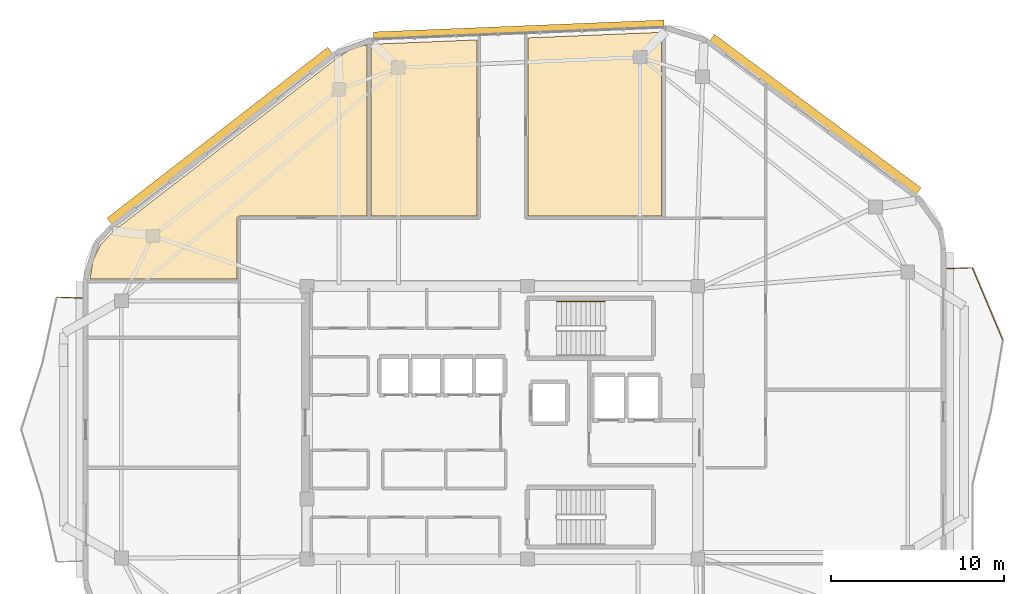
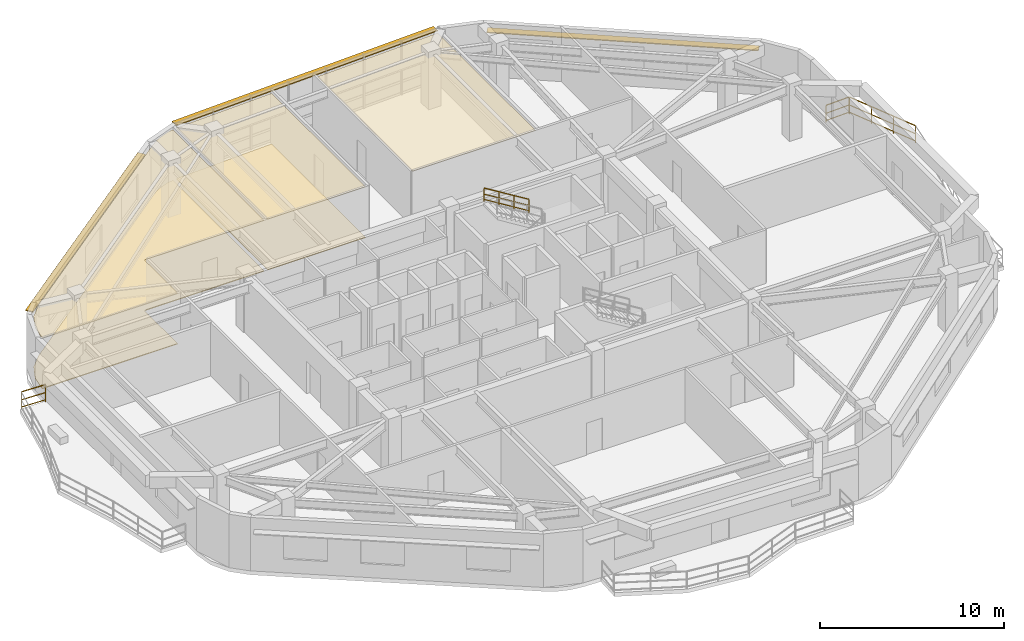
# One storey, part 12 of 12: 5 coverings, 4 railings, 3 shading devices.
"""IFC4 building model written with IfcOpenShell, lengths in metres."""

from ifc_helpers import new_model, si_unit, direction, frame, origin, origin_2d, place, context, subcontext, project, spatial, polyline, rectangle, outline, extrude, material, layer, layer_set, type_object, element, save


model = new_model("IFC4")

# Units and contexts
model_context = context("Model", 3, precision=1e-05, world=origin(), true_north=direction((0.0, 1.0)))
body_context = subcontext(model_context, "Body", "Model", "MODEL_VIEW")
ifc_project = project(units=[si_unit("LENGTHUNIT", "METRE"), si_unit("AREAUNIT", "SQUARE_METRE"), si_unit("VOLUMEUNIT", "CUBIC_METRE"), si_unit("PLANEANGLEUNIT", "RADIAN"), si_unit("MASSUNIT", "GRAM", prefix="KILO")], contexts=[model_context])

# Site, building, storey
site_placement = place(None, origin())
site = spatial("IfcSite", under=ifc_project, at=site_placement, CompositionType="ELEMENT")
building_placement = place(site_placement, origin())
building = spatial("IfcBuilding", under=site, at=building_placement, Name="Zulverin Broadcast Headquarters", CompositionType="ELEMENT")
storey_placement = place(building_placement, frame((0.0, 0.0, 285.800048828125)))
storey = spatial("IfcBuildingStorey", under=building, at=storey_placement, Name="L73", CompositionType="ELEMENT", Elevation=285.800048828125)

# Coverings
ifc_material_1 = material(Name="Perforated pale-metal acoustic baffle ceiling", Category="aluminium")
ifc_layer_1 = layer(ifc_material_1, 0.0400390625, Name="Perforated pale-metal acoustic baffle ceiling", Category="aluminium")
ifc_layer_set_1 = layer_set([ifc_layer_1], Name="Perforated pale-metal acoustic baffle ceiling")
covering_type_1 = type_object("IfcCoveringType", Name="COV-CEIL-ACOU", PredefinedType="CEILING", material=ifc_layer_set_1)
covering_1_placement = place(storey_placement, frame((0.0, 0.0, 3.35986328125)))
element("IfcCovering", 1, at=covering_1_placement, inside=storey, type_object=covering_type_1, Name="L73 Acoustic Baffle Ceiling 01", PredefinedType="CEILING", context=body_context, shape_type="SweptSolid", body=[
    extrude(outline(polyline([(28.16796875, 46.7080078125), (27.555908203125, 46.327880859375), (14.5439453125, 36.256103515625), (13.81201171875, 35.488037109375), (13.360107421875, 34.56396484375), (13.199951171875, 33.52001953125), (13.199951171875, 33.5), (21.679931640625, 33.5), (21.679931640625, 37.0), (21.679931640625, 37.011962890625), (21.68408203125, 37.02392578125), (21.68408203125, 37.035888671875), (21.68798828125, 37.0439453125), (21.696044921875, 37.055908203125), (21.699951171875, 37.068115234375), (21.7080078125, 37.075927734375), (21.716064453125, 37.083984375), (21.72412109375, 37.092041015625), (21.73193359375, 37.10009765625), (21.743896484375, 37.10400390625), (21.756103515625, 37.112060546875), (21.763916015625, 37.115966796875), (21.77587890625, 37.115966796875), (21.7880859375, 37.1201171875), (21.800048828125, 37.1201171875), (29.179931640625, 37.1201171875), (29.179931640625, 46.99609375), (28.823974609375, 46.947998046875), (28.16796875, 46.7080078125)])), origin(), (0.0, 0.0, 1.0), 0.0400390625),
])
covering_2_placement = place(storey_placement, frame((0.0, 0.0, 3.35986328125)))
element("IfcCovering", 2, at=covering_2_placement, inside=storey, type_object=covering_type_1, Name="L73 Acoustic Baffle Ceiling 02", PredefinedType="CEILING", context=body_context, shape_type="SweptSolid", body=[
    extrude(outline(polyline([(29.535888671875, 47.052001953125), (29.419921875, 47.031982421875), (29.419921875, 37.1201171875), (35.531982421875, 37.1201171875), (35.531982421875, 47.300048828125), (29.535888671875, 47.052001953125)])), origin(), (0.0, 0.0, 1.0), 0.0400390625),
])
covering_3_placement = place(storey_placement, frame((0.0, 0.0, 3.35986328125)))
element("IfcCovering", 3, at=covering_3_placement, inside=storey, type_object=covering_type_1, Name="L73 Acoustic Baffle Ceiling 03", PredefinedType="CEILING", context=body_context, shape_type="SweptSolid", body=[
    extrude(outline(polyline([(38.471923828125, 47.416015625), (38.471923828125, 37.1201171875), (46.179931640625, 37.1201171875), (46.179931640625, 47.736083984375), (38.471923828125, 47.416015625)])), origin(), (0.0, 0.0, 1.0), 0.0400390625),
])
ifc_material_2 = material(Name="Anti-static broadcast raised access flooring", Category="stone")
ifc_layer_2 = layer(ifc_material_2, 0.050048828125, Name="Anti-static broadcast raised access flooring", Category="stone")
ifc_layer_set_2 = layer_set([ifc_layer_2], Name="Anti-static broadcast raised access flooring")
covering_type_2 = type_object("IfcCoveringType", Name="COV-FLR-RAISED", PredefinedType="FLOORING", material=ifc_layer_set_2)
covering_4_placement = place(storey_placement, origin())
element("IfcCovering", 4, at=covering_4_placement, inside=storey, type_object=covering_type_2, Name="L73 Broadcast Raised Access Flooring 01", PredefinedType="FLOORING", context=body_context, shape_type="SweptSolid", body=[
    extrude(outline(polyline([(28.16796875, 46.7080078125), (27.555908203125, 46.327880859375), (14.5439453125, 36.256103515625), (13.81201171875, 35.488037109375), (13.360107421875, 34.56396484375), (13.199951171875, 33.52001953125), (13.199951171875, 33.5), (21.679931640625, 33.5), (21.679931640625, 37.0), (21.679931640625, 37.011962890625), (21.68408203125, 37.02392578125), (21.68408203125, 37.035888671875), (21.68798828125, 37.0439453125), (21.696044921875, 37.055908203125), (21.699951171875, 37.068115234375), (21.7080078125, 37.075927734375), (21.716064453125, 37.083984375), (21.72412109375, 37.092041015625), (21.73193359375, 37.10009765625), (21.743896484375, 37.10400390625), (21.756103515625, 37.112060546875), (21.763916015625, 37.115966796875), (21.77587890625, 37.115966796875), (21.7880859375, 37.1201171875), (21.800048828125, 37.1201171875), (29.179931640625, 37.1201171875), (29.179931640625, 46.99609375), (28.823974609375, 46.947998046875), (28.16796875, 46.7080078125)])), origin(), (0.0, 0.0, 1.0), 0.050048828125),
])
covering_5_placement = place(storey_placement, origin())
element("IfcCovering", 5, at=covering_5_placement, inside=storey, type_object=covering_type_2, Name="L73 Broadcast Raised Access Flooring 02", PredefinedType="FLOORING", context=body_context, shape_type="SweptSolid", body=[
    extrude(outline(polyline([(29.535888671875, 47.052001953125), (29.419921875, 47.031982421875), (29.419921875, 37.1201171875), (35.531982421875, 37.1201171875), (35.531982421875, 47.300048828125), (29.535888671875, 47.052001953125)])), origin(), (0.0, 0.0, 1.0), 0.050048828125),
])

# Railings
ifc_material_3 = material(Name="Brushed stainless steel & laminated glass balustrade", Category="steel")
railing_type_1 = type_object("IfcRailingType", Name="RL-GUARD-1150", PredefinedType="GUARDRAIL", material=ifc_material_3)
railing_1_placement = place(storey_placement, frame((65.8681640625, 30.000244140625, 0.0)))
element("IfcRailing", 6, at=railing_1_placement, inside=storey, type_object=railing_type_1, Name="L73 Vertical-Forest Balcony Guardrail BAL_E Segment 05", PredefinedType="GUARDRAIL", context=body_context, shape_type="SweptSolid", body=[
    extrude(rectangle(XDim=0.048095703125, YDim=0.048095703125, at=origin_2d()), frame((0.0, 0.0, 1.1259765625), z_axis=(-0.388239386157, 0.921558559743, 0.0), x_axis=(-0.921558559743, -0.388239386157, 0.0)), (0.0, 0.0, 1.0), 4.488037109375),
    extrude(rectangle(XDim=0.0419921875, YDim=0.0419921875, at=origin_2d()), frame((0.0, 0.0, 0.597900390625), z_axis=(-0.388239386157, 0.921558559743, 0.0), x_axis=(-0.921558559743, -0.388239386157, 0.0)), (0.0, 0.0, 1.0), 4.488037109375),
    extrude(rectangle(XDim=0.0419921875, YDim=0.0419921875, at=origin_2d()), frame((0.0, 0.0, 0.1201171875), z_axis=(-0.388239386157, 0.921558559743, 0.0), x_axis=(-0.921558559743, -0.388239386157, 0.0)), (0.0, 0.0, 1.0), 4.488037109375),
    extrude(rectangle(XDim=0.0419921875, YDim=0.0419921875, at=origin_2d()), origin(), (0.0, 0.0, 1.0), 1.101806640625),
    extrude(rectangle(XDim=0.0419921875, YDim=0.0419921875, at=origin_2d()), frame((-0.580810546875, 1.378662109375, 0.0)), (0.0, 0.0, 1.0), 1.101806640625),
    extrude(rectangle(XDim=0.0419921875, YDim=0.0419921875, at=origin_2d()), frame((-1.16162109375, 2.75732421875, 0.0)), (0.0, 0.0, 1.0), 1.101806640625),
    extrude(rectangle(XDim=0.0419921875, YDim=0.0419921875, at=origin_2d()), frame((-1.742431640625, 4.135986328125, 0.0)), (0.0, 0.0, 1.0), 1.101806640625),
])
railing_2_placement = place(storey_placement, frame((64.10498046875, 34.1494140625, 0.0)))
element("IfcRailing", 7, at=railing_2_placement, inside=storey, type_object=railing_type_1, Name="L73 Vertical-Forest Balcony Guardrail BAL_E Segment 06", PredefinedType="GUARDRAIL", context=body_context, shape_type="SweptSolid", body=[
    extrude(rectangle(XDim=0.048095703125, YDim=0.048095703125, at=origin_2d()), frame((0.0, 0.0, 1.1259765625), z_axis=(-0.999181155166, -0.040460093435, 0.0), x_axis=(0.040460093435, -0.999181155166, 0.0)), (0.0, 0.0, 1.0), 1.46630859375),
    extrude(rectangle(XDim=0.0419921875, YDim=0.0419921875, at=origin_2d()), frame((0.0, 0.0, 0.597900390625), z_axis=(-0.999181155166, -0.040460093435, 0.0), x_axis=(0.040460093435, -0.999181155166, 0.0)), (0.0, 0.0, 1.0), 1.46630859375),
    extrude(rectangle(XDim=0.0419921875, YDim=0.0419921875, at=origin_2d()), frame((0.0, 0.0, 0.1201171875), z_axis=(-0.999181155166, -0.040460093435, 0.0), x_axis=(0.040460093435, -0.999181155166, 0.0)), (0.0, 0.0, 1.0), 1.46630859375),
    extrude(rectangle(XDim=0.0419921875, YDim=0.0419921875, at=origin_2d()), origin(), (0.0, 0.0, 1.0), 1.101806640625),
    extrude(rectangle(XDim=0.0419921875, YDim=0.0419921875, at=origin_2d()), frame((-1.465087890625, -0.059326171875, 0.0)), (0.0, 0.0, 1.0), 1.101806640625),
])
railing_3_placement = place(storey_placement, frame((12.760009765625, 32.387939453125, 0.0)))
element("IfcRailing", 8, at=railing_3_placement, inside=storey, type_object=railing_type_1, Name="L73 Vertical-Forest Balcony Guardrail BAL_W Segment 01", PredefinedType="GUARDRAIL", context=body_context, shape_type="SweptSolid", body=[
    extrude(rectangle(XDim=0.048095703125, YDim=0.048095703125, at=origin_2d()), frame((0.0, 0.0, 1.1259765625), z_axis=(-0.999174410196, 0.040626321628, 0.0), x_axis=(-0.040626321628, -0.999174410196, 0.0)), (0.0, 0.0, 1.0), 1.46630859375),
    extrude(rectangle(XDim=0.0419921875, YDim=0.0419921875, at=origin_2d()), frame((0.0, 0.0, 0.597900390625), z_axis=(-0.999174410196, 0.040626321628, 0.0), x_axis=(-0.040626321628, -0.999174410196, 0.0)), (0.0, 0.0, 1.0), 1.46630859375),
    extrude(rectangle(XDim=0.0419921875, YDim=0.0419921875, at=origin_2d()), frame((0.0, 0.0, 0.1201171875), z_axis=(-0.999174410196, 0.040626321628, 0.0), x_axis=(-0.040626321628, -0.999174410196, 0.0)), (0.0, 0.0, 1.0), 1.46630859375),
    extrude(rectangle(XDim=0.0419921875, YDim=0.0419921875, at=origin_2d()), origin(), (0.0, 0.0, 1.0), 1.101806640625),
    extrude(rectangle(XDim=0.0419921875, YDim=0.0419921875, at=origin_2d()), frame((-1.465087890625, 0.0595703125, 0.0)), (0.0, 0.0, 1.0), 1.101806640625),
])
ifc_material_4 = material(Name="Brushed stainless steel 48 mm handrail", Category="steel")
railing_type_2 = type_object("IfcRailingType", Name="RL-ST-HAND", PredefinedType="HANDRAIL", material=ifc_material_4)
railing_4_placement = place(storey_placement, frame((42.929931640625, 32.199951171875, 2.07275390625)))
element("IfcRailing", 9, at=railing_4_placement, inside=storey, type_object=railing_type_2, Name="L73 ST-1 stair handrail 2", PredefinedType="HANDRAIL", context=body_context, shape_type="SweptSolid", body=[
    extrude(rectangle(XDim=0.048095703125, YDim=0.048095703125, at=origin_2d()), frame((0.0, 0.0, 0.8759765625), z_axis=(-0.851089632645, 0.0, 0.525020415988), x_axis=(0.0, -1.0, 0.0)), (0.0, 0.0, 1.0), 3.2900390625),
    extrude(rectangle(XDim=0.0419921875, YDim=0.0419921875, at=origin_2d()), frame((0.0, 0.0, 0.468017578125), z_axis=(-0.851089632645, 0.0, 0.525020415988), x_axis=(0.0, -1.0, 0.0)), (0.0, 0.0, 1.0), 3.2900390625),
    extrude(rectangle(XDim=0.0419921875, YDim=0.0419921875, at=origin_2d()), frame((0.0, 0.0, 0.1201171875), z_axis=(-0.851089632645, 0.0, 0.525020415988), x_axis=(0.0, -1.0, 0.0)), (0.0, 0.0, 1.0), 3.2900390625),
    extrude(rectangle(XDim=0.0419921875, YDim=0.0419921875, at=origin_2d()), origin(), (0.0, 0.0, 1.0), 0.851806640625),
    extrude(rectangle(XDim=0.0419921875, YDim=0.0419921875, at=origin_2d()), frame((-0.933349609375, 0.0, 0.57568359375)), (0.0, 0.0, 1.0), 0.851806640625),
    extrude(rectangle(XDim=0.0419921875, YDim=0.0419921875, at=origin_2d()), frame((-1.86669921875, 0.0, 1.151611328125)), (0.0, 0.0, 1.0), 0.851806640625),
    extrude(rectangle(XDim=0.0419921875, YDim=0.0419921875, at=origin_2d()), frame((-2.800048828125, 0.0, 1.727294921875)), (0.0, 0.0, 1.0), 0.851806640625),
])

# Shading devices
ifc_material_5 = material(Name="Anodized pale-metal aluminium sunshade", Category="aluminium")
ifc_layer_3 = layer(ifc_material_5, 0.06005859375, Name="Anodized pale-metal aluminium sunshade", Category="aluminium")
ifc_layer_set_3 = layer_set([ifc_layer_3], Name="Anodized pale-metal aluminium sunshade")
shading_device_type = type_object("IfcShadingDeviceType", Name="SS-01_PALE_METAL_ALUMINIUM_SUNSHADE", PredefinedType="USERDEFINED", material=ifc_layer_set_3)
shading_device_1_placement = place(storey_placement, frame((55.068603515625, 43.009033203125, 2.7099609375), z_axis=(0.0, 0.0, 1.0), x_axis=(-0.802486437986, 0.596670358614, 0.0)))
element("IfcShadingDevice", 10, at=shading_device_1_placement, inside=storey, type_object=shading_device_type, Name="L73 Horizontal Pale-Metal Sunshade Band 4", ObjectType="SUNSHADE", PredefinedType="USERDEFINED", context=body_context, shape_type="SweptSolid", body=[
    extrude(rectangle(XDim=14.84765625, YDim=0.449951171875, at=origin_2d()), origin(), (0.0, 0.0, 1.0), 0.06005859375),
])
shading_device_2_placement = place(storey_placement, frame((37.9501953125, 47.877197265625, 3.309814453125), z_axis=(0.0, 0.0, 1.0), x_axis=(-0.999156343069, -0.041068261531, 0.0)))
element("IfcShadingDevice", 11, at=shading_device_2_placement, inside=storey, type_object=shading_device_type, Name="L73 Pale-Metal Horizontal Sunshade Band CW-L73-E5", ObjectType="SUNSHADE", PredefinedType="USERDEFINED", context=body_context, shape_type="SweptSolid", body=[
    extrude(rectangle(XDim=16.783203125, YDim=0.449951171875, at=origin_2d()), origin(), (0.0, 0.0, 1.0), 0.06005859375),
])
shading_device_3_placement = place(storey_placement, frame((20.67919921875, 41.763671875, 2.7099609375), z_axis=(0.0, 0.0, 1.0), x_axis=(-0.790792140634, -0.612084790132, 0.0)))
element("IfcShadingDevice", 12, at=shading_device_3_placement, inside=storey, type_object=shading_device_type, Name="L73 Horizontal Pale-Metal Sunshade Band 6", ObjectType="SUNSHADE", PredefinedType="USERDEFINED", context=body_context, shape_type="SweptSolid", body=[
    extrude(rectangle(XDim=16.109130859375, YDim=0.449951171875, at=origin_2d()), origin(), (0.0, 0.0, 1.0), 0.06005859375),
])

save(model, "model.ifc")
